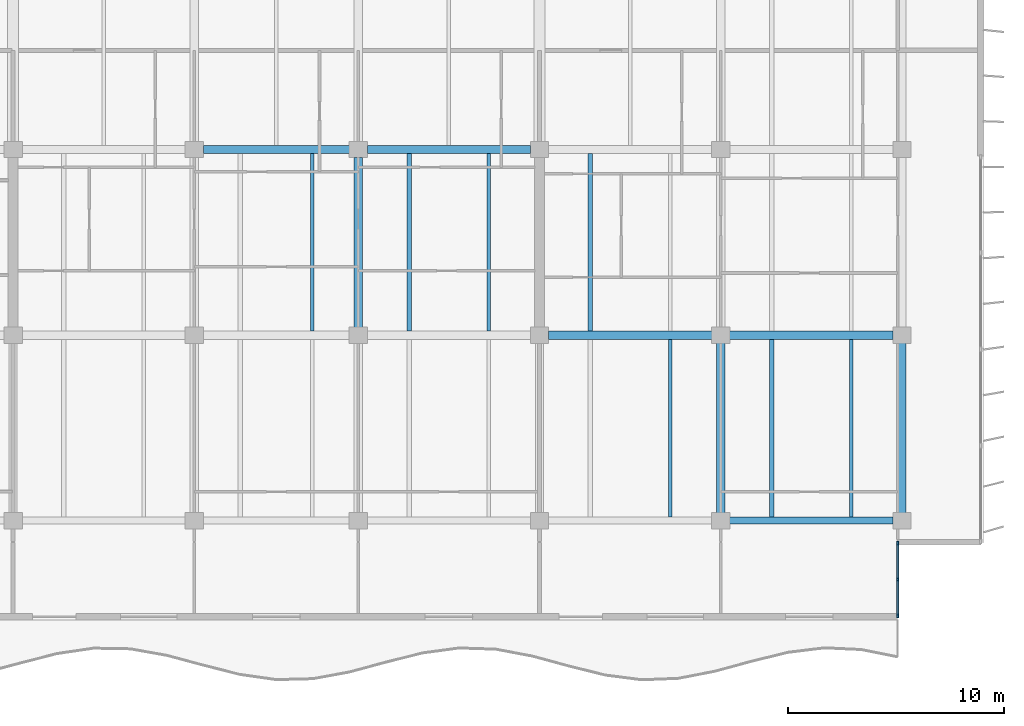
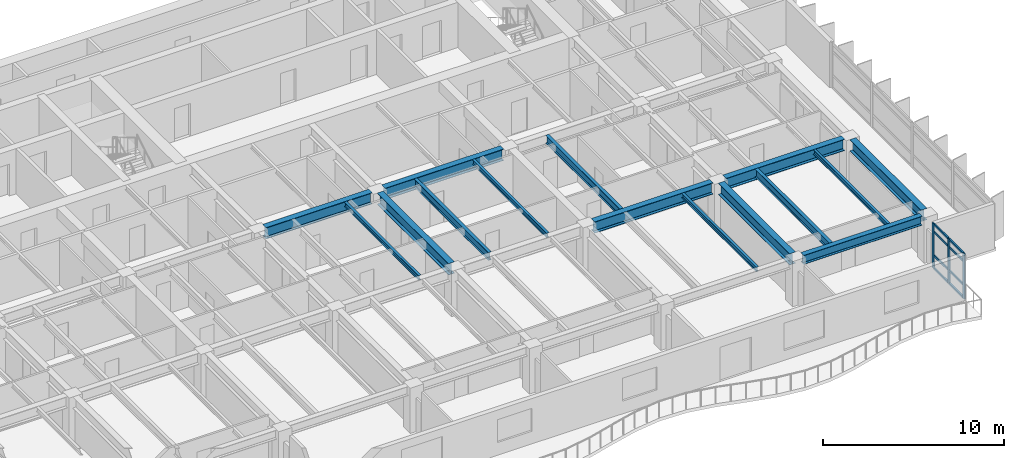
# One storey, part 4 of 17: 15 beams, 11 members, 1 element without a shape of its own.
"""IFC4 building model written with IfcOpenShell, lengths in metres."""

from ifc_helpers import new_model, si_unit, direction, frame, origin, origin_2d, place, context, subcontext, project, spatial, rectangle, i_section, extrude, material, layer, layer_set, material_profile, profile_set, type_object, element, aggregate, save


model = new_model("IFC4")

# Units and contexts
model_context = context("Model", 3, precision=1e-05, world=origin(), true_north=direction((0.0, 1.0)))
body_context = subcontext(model_context, "Body", "Model", "MODEL_VIEW")
ifc_project = project(units=[si_unit("LENGTHUNIT", "METRE"), si_unit("AREAUNIT", "SQUARE_METRE"), si_unit("VOLUMEUNIT", "CUBIC_METRE"), si_unit("PLANEANGLEUNIT", "RADIAN"), si_unit("MASSUNIT", "GRAM", prefix="KILO")], contexts=[model_context])

# Site, building, storey
site_placement = place(None, origin())
site = spatial("IfcSite", under=ifc_project, at=site_placement, CompositionType="ELEMENT")
building_placement = place(site_placement, origin())
building = spatial("IfcBuilding", under=site, at=building_placement, Name="Caelmar Bay Residences", CompositionType="ELEMENT")
storey_placement = place(building_placement, frame((0.0, 0.0, 208.199951171875)))
storey = spatial("IfcBuildingStorey", under=building, at=storey_placement, Name="L58", CompositionType="ELEMENT", Elevation=208.199951171875)

# Beams
ifc_material_1 = material(Name="Steel ASTM A992 Grade 50", Category="steel")
ifc_material_profile_1 = material_profile(ifc_material_1, i_section(OverallWidth=0.381103515625, OverallDepth=0.77197265625, WebThickness=0.0166015625, FlangeThickness=0.027099609375, FilletRadius=0.0166015625, at=origin_2d()), Name="W30X173")
ifc_profile_set_1 = profile_set([ifc_material_profile_1], Name="Steel ASTM A992 Grade 50")
beam_type_1 = type_object("IfcBeamType", Name="BM-GRD-W30X173", PredefinedType="BEAM", material=ifc_profile_set_1)
for number, where, z_axis, x_axis, name in (
    (1, (51.514892578125, 20.800048828125, 2.6640625), (1.0, 0.0, 0.0), (0.0, 1.0, 0.0), "L58 East-West Girder Y=20.80 (51.1-59.5)"),
    (2, (59.9150390625, 20.800048828125, 2.6640625), (1.0, 0.0, 0.0), (0.0, 1.0, 0.0), "L58 East-West Girder Y=20.80 (59.5-67.9)"),
):
    element("IfcBeam", number, at=place(storey_placement, frame(where, z_axis=z_axis, x_axis=x_axis)), inside=storey, type_object=beam_type_1, Name=name, PredefinedType="BEAM", context=body_context, shape_type="SweptSolid", body=[
        extrude(i_section(OverallWidth=0.381103515625, OverallDepth=0.77197265625, WebThickness=0.0166015625, FlangeThickness=0.027099609375, FilletRadius=0.0166015625, at=origin_2d()), origin(), (0.0, 0.0, 1.0), 7.570068359375),
    ])
beam_1_placement = place(storey_placement, frame((35.514892578125, 29.39990234375, 2.6640625), z_axis=(1.0, 0.0, 0.0), x_axis=(0.0, 1.0, 0.0)))
element("IfcBeam", 3, at=beam_1_placement, inside=storey, type_object=beam_type_1, Name="L58 East-West Girder Y=29.40 (35.1-42.7)", PredefinedType="BEAM", context=body_context, shape_type="SweptSolid", body=[
    extrude(i_section(OverallWidth=0.381103515625, OverallDepth=0.77197265625, WebThickness=0.0166015625, FlangeThickness=0.027099609375, FilletRadius=0.0166015625, at=origin_2d()), origin(), (0.0, 0.0, 1.0), 6.77001953125),
])
beam_2_placement = place(storey_placement, frame((43.114990234375, 29.39990234375, 2.6640625), z_axis=(1.0, 0.0, 0.0), x_axis=(0.0, 1.0, 0.0)))
element("IfcBeam", 4, at=beam_2_placement, inside=storey, type_object=beam_type_1, Name="L58 East-West Girder Y=29.40 (42.7-51.1)", PredefinedType="BEAM", context=body_context, shape_type="SweptSolid", body=[
    extrude(i_section(OverallWidth=0.381103515625, OverallDepth=0.77197265625, WebThickness=0.0166015625, FlangeThickness=0.027099609375, FilletRadius=0.0166015625, at=origin_2d()), origin(), (0.0, 0.0, 1.0), 7.570068359375),
])
beam_3_placement = place(storey_placement, frame((42.699951171875, 21.1650390625, 2.6640625), z_axis=(0.0, 1.0, 0.0), x_axis=(-1.0, 0.0, 0.0)))
element("IfcBeam", 5, at=beam_3_placement, inside=storey, type_object=beam_type_1, Name="L58 North-South Girder X=42.70 (20.8-29.4)", PredefinedType="BEAM", context=body_context, shape_type="SweptSolid", body=[
    extrude(i_section(OverallWidth=0.381103515625, OverallDepth=0.77197265625, WebThickness=0.0166015625, FlangeThickness=0.027099609375, FilletRadius=0.0166015625, at=origin_2d()), origin(), (0.0, 0.0, 1.0), 7.869873046875),
])
for number, where, z_axis, x_axis, name in (
    (6, (59.5, 12.56494140625, 2.6640625), (0.0, 1.0, 0.0), (-1.0, 0.0, 0.0), "L58 North-South Girder X=59.50 (12.2-20.8)"),
    (7, (67.89990234375, 12.56494140625, 2.6640625), (0.0, 1.0, 0.0), (-1.0, 0.0, 0.0), "L58 North-South Girder X=67.90 (12.2-20.8)"),
):
    element("IfcBeam", number, at=place(storey_placement, frame(where, z_axis=z_axis, x_axis=x_axis)), inside=storey, type_object=beam_type_1, Name=name, PredefinedType="BEAM", context=body_context, shape_type="SweptSolid", body=[
        extrude(i_section(OverallWidth=0.381103515625, OverallDepth=0.77197265625, WebThickness=0.0166015625, FlangeThickness=0.027099609375, FilletRadius=0.0166015625, at=origin_2d()), origin(), (0.0, 0.0, 1.0), 7.8701171875),
    ])
ifc_material_profile_2 = material_profile(ifc_material_1, i_section(OverallWidth=0.1650390625, OverallDepth=0.31005859375, WebThickness=0.005859375, FlangeThickness=0.009765625, FilletRadius=0.007568359375, at=origin_2d()), Name="W12X26")
ifc_profile_set_2 = profile_set([ifc_material_profile_2], Name="Steel ASTM A992 Grade 50")
beam_type_2 = type_object("IfcBeamType", Name="BM-JST-W12X26", PredefinedType="JOIST", material=ifc_profile_set_2)
for number, where, z_axis, x_axis, name in (
    (8, (57.14794921875, 12.362548828125, 2.89501953125), (0.0, 1.0, 0.0), (-1.0, 0.0, 0.0), "L58 Composite Floor Joist 12"),
    (9, (65.548095703125, 12.362548828125, 2.89501953125), (0.0, 1.0, 0.0), (-1.0, 0.0, 0.0), "L58 Composite Floor Joist 14"),
):
    element("IfcBeam", number, at=place(storey_placement, frame(where, z_axis=z_axis, x_axis=x_axis)), inside=storey, type_object=beam_type_2, Name=name, PredefinedType="JOIST", context=body_context, shape_type="SweptSolid", body=[
        extrude(i_section(OverallWidth=0.1650390625, OverallDepth=0.31005859375, WebThickness=0.005859375, FlangeThickness=0.009765625, FilletRadius=0.007568359375, at=origin_2d()), origin(), (0.0, 0.0, 1.0), 8.2470703125),
    ])
for number, where, z_axis, x_axis, name in (
    (10, (40.572021484375, 20.990478515625, 2.89501953125), (0.0, 1.0, 0.0), (-1.0, 0.0, 0.0), "L58 Composite Floor Joist 22"),
    (11, (48.748046875, 20.990478515625, 2.89501953125), (0.0, 1.0, 0.0), (-1.0, 0.0, 0.0), "L58 Composite Floor Joist 24"),
):
    element("IfcBeam", number, at=place(storey_placement, frame(where, z_axis=z_axis, x_axis=x_axis)), inside=storey, type_object=beam_type_2, Name=name, PredefinedType="JOIST", context=body_context, shape_type="SweptSolid", body=[
        extrude(i_section(OverallWidth=0.1650390625, OverallDepth=0.31005859375, WebThickness=0.005859375, FlangeThickness=0.009765625, FilletRadius=0.007568359375, at=origin_2d()), origin(), (0.0, 0.0, 1.0), 8.218994140625),
    ])
ifc_material_profile_3 = material_profile(ifc_material_1, i_section(OverallWidth=0.2099609375, OverallDepth=0.535888671875, WebThickness=0.010986328125, FlangeThickness=0.017333984375, FilletRadius=0.0126953125, at=origin_2d()), Name="W21X68")
ifc_profile_set_3 = profile_set([ifc_material_profile_3], Name="Steel ASTM A992 Grade 50")
beam_type_3 = type_object("IfcBeamType", Name="BM-JST-W21X68", PredefinedType="JOIST", material=ifc_profile_set_3)
beam_4_placement = place(storey_placement, frame((61.85205078125, 12.362548828125, 2.781982421875), z_axis=(0.0, 1.0, 0.0), x_axis=(-1.0, 0.0, 0.0)))
element("IfcBeam", 12, at=beam_4_placement, inside=storey, type_object=beam_type_3, Name="L58 Composite Floor Joist 13", PredefinedType="JOIST", context=body_context, shape_type="SweptSolid", body=[
    extrude(i_section(OverallWidth=0.2099609375, OverallDepth=0.535888671875, WebThickness=0.010986328125, FlangeThickness=0.017333984375, FilletRadius=0.0126953125, at=origin_2d()), origin(), (0.0, 0.0, 1.0), 8.2470703125),
])
for number, where, z_axis, x_axis, name in (
    (13, (45.052001953125, 20.990478515625, 2.781982421875), (0.0, 1.0, 0.0), (-1.0, 0.0, 0.0), "L58 Composite Floor Joist 23"),
    (14, (53.451904296875, 20.990478515625, 2.781982421875), (0.0, 1.0, 0.0), (-1.0, 0.0, 0.0), "L58 Composite Floor Joist 25"),
):
    element("IfcBeam", number, at=place(storey_placement, frame(where, z_axis=z_axis, x_axis=x_axis)), inside=storey, type_object=beam_type_3, Name=name, PredefinedType="JOIST", context=body_context, shape_type="SweptSolid", body=[
        extrude(i_section(OverallWidth=0.2099609375, OverallDepth=0.535888671875, WebThickness=0.010986328125, FlangeThickness=0.017333984375, FilletRadius=0.0126953125, at=origin_2d()), origin(), (0.0, 0.0, 1.0), 8.218994140625),
    ])
ifc_material_profile_4 = material_profile(ifc_material_1, i_section(OverallWidth=0.324951171875, OverallDepth=0.616943359375, WebThickness=0.013916015625, FlangeThickness=0.021484375, FilletRadius=0.0126953125, at=origin_2d()), Name="W24X117")
ifc_profile_set_4 = profile_set([ifc_material_profile_4], Name="Steel ASTM A992 Grade 50")
beam_type_4 = type_object("IfcBeamType", Name="BM-SPN-W24X117", PredefinedType="SPANDREL", material=ifc_profile_set_4)
beam_5_placement = place(storey_placement, frame((59.9150390625, 12.199951171875, 2.741455078125), z_axis=(1.0, 0.0, 0.0), x_axis=(0.0, 1.0, 0.0)))
element("IfcBeam", 15, at=beam_5_placement, inside=storey, type_object=beam_type_4, Name="L58 East-West Girder Y=12.20 (59.5-67.9)", PredefinedType="SPANDREL", context=body_context, shape_type="SweptSolid", body=[
    extrude(i_section(OverallWidth=0.324951171875, OverallDepth=0.616943359375, WebThickness=0.013916015625, FlangeThickness=0.021484375, FilletRadius=0.0126953125, at=origin_2d()), origin(), (0.0, 0.0, 1.0), 7.570068359375),
])

# Curtain wall, members
ifc_material_2 = material(Name="Anodised bronze aluminium 6063-T6 and laminated glass", Category="aluminium")
ifc_layer = layer(ifc_material_2, 0.179931640625)
ifc_layer_set = layer_set([ifc_layer], Name="Anodised bronze aluminium 6063-T6 and laminated glass")
curtain_wall_type = type_object("IfcCurtainWallType", Name="CW6-NTC", PredefinedType="NOTDEFINED", material=ifc_layer_set)
curtain_wall_placement = place(storey_placement, origin())
curtain_wall = element("IfcCurtainWall", 16, at=curtain_wall_placement, inside=storey, type_object=curtain_wall_type, Name="CW6 curtain wall L58", PredefinedType="NOTDEFINED")
ifc_material_3 = material(Name="Anodised bronze aluminium 6063-T6", Category="aluminium")
ifc_material_profile_5 = material_profile(ifc_material_3, rectangle(XDim=0.080078125, YDim=0.179931640625, at=origin_2d()), Name="CWM-80X180")
ifc_profile_set_5 = profile_set([ifc_material_profile_5], Name="Anodised bronze aluminium 6063-T6")
member_type_1 = type_object("IfcMemberType", Name="CWM-180", PredefinedType="MULLION", material=ifc_profile_set_5)
member_1_placement = place(storey_placement, frame((67.699951171875, 7.7900390625, 0.0), z_axis=(0.0, 0.0, 1.0), x_axis=(-1.0, 0.0, 0.0)))
member_1 = element("IfcMember", 17, at=member_1_placement, type_object=member_type_1, Name="CW6 mullion 1", PredefinedType="MULLION", context=body_context, shape_type="SweptSolid", body=[
    extrude(rectangle(XDim=0.080078125, YDim=0.179931640625, at=origin_2d()), origin(), (0.0, 0.0, 1.0), 3.050048828125),
])
member_2_placement = place(storey_placement, frame((67.699951171875, 9.47509765625, 0.0), z_axis=(0.0, 0.0, 1.0), x_axis=(-1.0, 0.0, 0.0)))
member_2 = element("IfcMember", 18, at=member_2_placement, type_object=member_type_1, Name="CW6 mullion 2", PredefinedType="MULLION", context=body_context, shape_type="SweptSolid", body=[
    extrude(rectangle(XDim=0.080078125, YDim=0.179931640625, at=origin_2d()), origin(), (0.0, 0.0, 1.0), 3.050048828125),
])
member_3_placement = place(storey_placement, frame((67.699951171875, 11.159912109375, 0.0), z_axis=(0.0, 0.0, 1.0), x_axis=(-1.0, 0.0, 0.0)))
member_3 = element("IfcMember", 19, at=member_3_placement, type_object=member_type_1, Name="CW6 mullion 3", PredefinedType="MULLION", context=body_context, shape_type="SweptSolid", body=[
    extrude(rectangle(XDim=0.080078125, YDim=0.179931640625, at=origin_2d()), origin(), (0.0, 0.0, 1.0), 3.050048828125),
])
ifc_material_profile_6 = material_profile(ifc_material_3, rectangle(XDim=0.080078125, YDim=0.139892578125, at=origin_2d()), Name="CWT-80X140")
ifc_profile_set_6 = profile_set([ifc_material_profile_6], Name="Anodised bronze aluminium 6063-T6")
member_type_2 = type_object("IfcMemberType", Name="CWT-140", PredefinedType="NOTDEFINED", material=ifc_profile_set_6)
member_4_placement = place(storey_placement, frame((67.699951171875, 7.830078125, 0.0400390625), z_axis=(0.0, 1.0, 0.0), x_axis=(-1.0, 0.0, 0.0)))
member_4 = element("IfcMember", 20, at=member_4_placement, type_object=member_type_2, Name="CW6 transom 1.1", ObjectType="TRANSOM", PredefinedType="USERDEFINED", context=body_context, shape_type="SweptSolid", body=[
    extrude(rectangle(XDim=0.080078125, YDim=0.139892578125, at=origin_2d()), origin(), (0.0, 0.0, 1.0), 1.60498046875),
])
member_5_placement = place(storey_placement, frame((67.699951171875, 7.830078125, 0.900146484375), z_axis=(0.0, 1.0, 0.0), x_axis=(-1.0, 0.0, 0.0)))
member_5 = element("IfcMember", 21, at=member_5_placement, type_object=member_type_2, Name="CW6 transom 1.2", ObjectType="TRANSOM", PredefinedType="USERDEFINED", context=body_context, shape_type="SweptSolid", body=[
    extrude(rectangle(XDim=0.080078125, YDim=0.139892578125, at=origin_2d()), origin(), (0.0, 0.0, 1.0), 1.60498046875),
])
member_6_placement = place(storey_placement, frame((67.699951171875, 7.830078125, 2.5), z_axis=(0.0, 1.0, 0.0), x_axis=(-1.0, 0.0, 0.0)))
member_6 = element("IfcMember", 22, at=member_6_placement, type_object=member_type_2, Name="CW6 transom 1.3", ObjectType="TRANSOM", PredefinedType="USERDEFINED", context=body_context, shape_type="SweptSolid", body=[
    extrude(rectangle(XDim=0.080078125, YDim=0.139892578125, at=origin_2d()), origin(), (0.0, 0.0, 1.0), 1.60498046875),
])
member_7_placement = place(storey_placement, frame((67.699951171875, 7.830078125, 3.010009765625), z_axis=(0.0, 1.0, 0.0), x_axis=(-1.0, 0.0, 0.0)))
member_7 = element("IfcMember", 23, at=member_7_placement, type_object=member_type_2, Name="CW6 transom 1.4", ObjectType="TRANSOM", PredefinedType="USERDEFINED", context=body_context, shape_type="SweptSolid", body=[
    extrude(rectangle(XDim=0.080078125, YDim=0.139892578125, at=origin_2d()), origin(), (0.0, 0.0, 1.0), 1.60498046875),
])
member_8_placement = place(storey_placement, frame((67.699951171875, 9.514892578125, 0.0400390625), z_axis=(0.0, 1.0, 0.0), x_axis=(-1.0, 0.0, 0.0)))
member_8 = element("IfcMember", 24, at=member_8_placement, type_object=member_type_2, Name="CW6 transom 2.1", ObjectType="TRANSOM", PredefinedType="USERDEFINED", context=body_context, shape_type="SweptSolid", body=[
    extrude(rectangle(XDim=0.080078125, YDim=0.139892578125, at=origin_2d()), origin(), (0.0, 0.0, 1.0), 1.605224609375),
])
member_9_placement = place(storey_placement, frame((67.699951171875, 9.514892578125, 0.900146484375), z_axis=(0.0, 1.0, 0.0), x_axis=(-1.0, 0.0, 0.0)))
member_9 = element("IfcMember", 25, at=member_9_placement, type_object=member_type_2, Name="CW6 transom 2.2", ObjectType="TRANSOM", PredefinedType="USERDEFINED", context=body_context, shape_type="SweptSolid", body=[
    extrude(rectangle(XDim=0.080078125, YDim=0.139892578125, at=origin_2d()), origin(), (0.0, 0.0, 1.0), 1.605224609375),
])
member_10_placement = place(storey_placement, frame((67.699951171875, 9.514892578125, 2.5), z_axis=(0.0, 1.0, 0.0), x_axis=(-1.0, 0.0, 0.0)))
member_10 = element("IfcMember", 26, at=member_10_placement, type_object=member_type_2, Name="CW6 transom 2.3", ObjectType="TRANSOM", PredefinedType="USERDEFINED", context=body_context, shape_type="SweptSolid", body=[
    extrude(rectangle(XDim=0.080078125, YDim=0.139892578125, at=origin_2d()), origin(), (0.0, 0.0, 1.0), 1.605224609375),
])
member_11_placement = place(storey_placement, frame((67.699951171875, 9.514892578125, 3.010009765625), z_axis=(0.0, 1.0, 0.0), x_axis=(-1.0, 0.0, 0.0)))
member_11 = element("IfcMember", 27, at=member_11_placement, type_object=member_type_2, Name="CW6 transom 2.4", ObjectType="TRANSOM", PredefinedType="USERDEFINED", context=body_context, shape_type="SweptSolid", body=[
    extrude(rectangle(XDim=0.080078125, YDim=0.139892578125, at=origin_2d()), origin(), (0.0, 0.0, 1.0), 1.605224609375),
])
aggregate(curtain_wall, [member_1, member_2, member_3, member_4, member_5, member_6, member_7, member_8, member_9, member_10, member_11])

save(model, "model.ifc")
